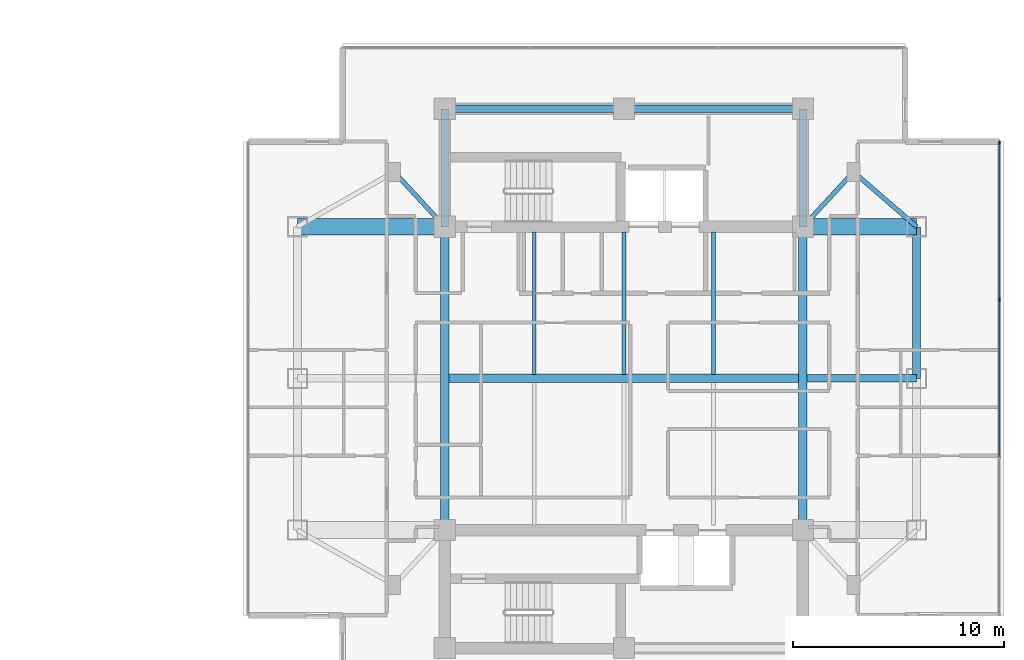
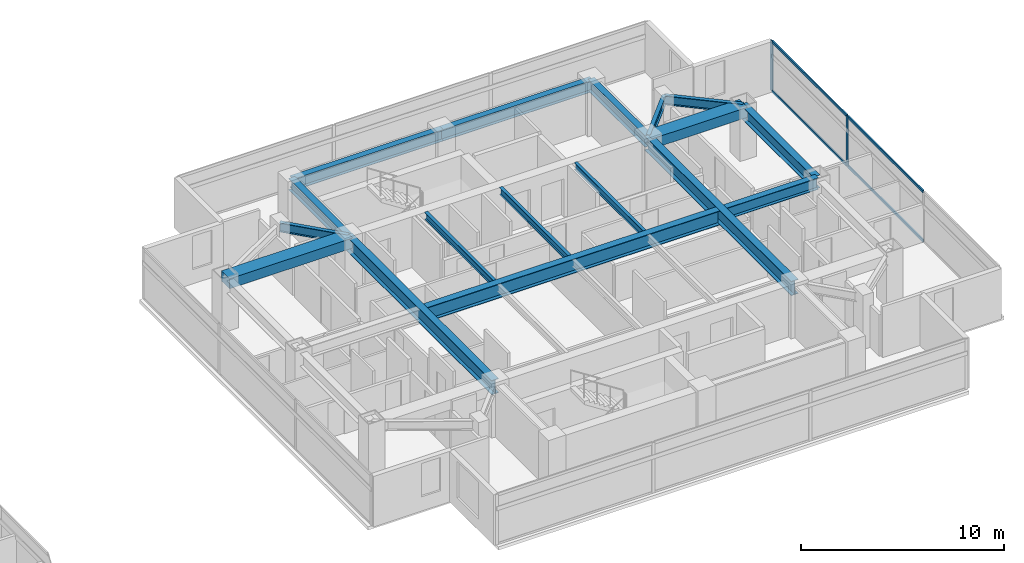
# One storey, part 10 of 26: 17 beams, 6 members, 1 element without a shape of its own.
"""IFC4 building model written with IfcOpenShell, lengths in metres."""

from ifc_helpers import new_model, si_unit, direction, frame, origin, origin_2d, place, context, subcontext, project, spatial, rectangle, i_section, extrude, material, material_profile, profile_set, type_object, element, aggregate, save


model = new_model("IFC4")

# Units and contexts
model_context = context("Model", 3, precision=1e-05, world=origin(), true_north=direction((0.0, 1.0)))
body_context = subcontext(model_context, "Body", "Model", "MODEL_VIEW")
ifc_project = project(units=[si_unit("LENGTHUNIT", "METRE"), si_unit("AREAUNIT", "SQUARE_METRE"), si_unit("VOLUMEUNIT", "CUBIC_METRE"), si_unit("PLANEANGLEUNIT", "RADIAN"), si_unit("MASSUNIT", "GRAM", prefix="KILO")], contexts=[model_context])

# Site, building, storey
site_placement = place(None, origin())
site = spatial("IfcSite", under=ifc_project, at=site_placement, CompositionType="ELEMENT")
building_placement = place(site_placement, origin())
building = spatial("IfcBuilding", under=site, at=building_placement, Name="Mirazonda Arch Towers", CompositionType="ELEMENT")
storey_placement = place(building_placement, frame((0.0, 0.0, 170.64990234375)))
storey = spatial("IfcBuildingStorey", under=building, at=storey_placement, Name="L48", CompositionType="ELEMENT", Elevation=170.64990234375)

# Beams
ifc_material_1 = material(Name="Steel ASTM A992 Grade 50", Category="steel")
ifc_material_profile_1 = material_profile(ifc_material_1, i_section(OverallWidth=0.381103515625, OverallDepth=0.77294921875, WebThickness=0.0166015625, FlangeThickness=0.027099609375, at=origin_2d()), Name="W30X173")
ifc_profile_set_1 = profile_set([ifc_material_profile_1], Name="Steel ASTM A992 Grade 50")
beam_type_1 = type_object("IfcBeamType", Name="BM-EXT-W30X173", PredefinedType="USERDEFINED", material=ifc_profile_set_1)
beam_1_placement = place(storey_placement, frame((90.39990234375, 28.0, 2.66357421875), z_axis=(0.0, 1.0, 0.0), x_axis=(-1.0, 0.0, 0.0)))
element("IfcBeam", 1, at=beam_1_placement, inside=storey, type_object=beam_type_1, Name="L48 Floor Beam BM-T2-L48-NS-E-28", ObjectType="GIRDER", PredefinedType="USERDEFINED", context=body_context, shape_type="SweptSolid", body=[
    extrude(i_section(OverallWidth=0.381103515625, OverallDepth=0.77294921875, WebThickness=0.0166015625, FlangeThickness=0.027099609375, at=origin_2d()), origin(), (0.0, 0.0, 1.0), 7.199951171875),
])
ifc_material_profile_2 = material_profile(ifc_material_1, i_section(OverallWidth=0.180908203125, OverallDepth=0.4169921875, WebThickness=0.010986328125, FlangeThickness=0.018310546875, at=origin_2d()), Name="W16X57")
ifc_profile_set_2 = profile_set([ifc_material_profile_2], Name="Steel ASTM A992 Grade 50")
beam_type_2 = type_object("IfcBeamType", Name="BM-INT-W16X57", PredefinedType="JOIST", material=ifc_profile_set_2)
for number, where, z_axis, x_axis, name in (
    (2, (72.25, 28.196044921875, 2.841552734375), (0.0, 1.0, 0.0), (-1.0, 0.0, 0.0), "L48 Floor Beam BM-T2-L48-J-722-28"),
    (3, (76.5, 28.196044921875, 2.841552734375), (0.0, 1.0, 0.0), (-1.0, 0.0, 0.0), "L48 Floor Beam BM-T2-L48-J-765-28"),
    (4, (80.75, 28.196044921875, 2.841552734375), (0.0, 1.0, 0.0), (-1.0, 0.0, 0.0), "L48 Floor Beam BM-T2-L48-J-807-28"),
):
    element("IfcBeam", number, at=place(storey_placement, frame(where, z_axis=z_axis, x_axis=x_axis)), inside=storey, type_object=beam_type_2, Name=name, PredefinedType="JOIST", context=body_context, shape_type="SweptSolid", body=[
        extrude(i_section(OverallWidth=0.180908203125, OverallDepth=0.4169921875, WebThickness=0.010986328125, FlangeThickness=0.018310546875, at=origin_2d()), origin(), (0.0, 0.0, 1.0), 6.763916015625),
    ])
ifc_material_profile_3 = material_profile(ifc_material_1, i_section(OverallWidth=0.214111328125, OverallDepth=0.549072265625, WebThickness=0.0146484375, FlangeThickness=0.023681640625, at=origin_2d()), Name="W21X93")
ifc_profile_set_3 = profile_set([ifc_material_profile_3], Name="Steel ASTM A992 Grade 50")
beam_type_3 = type_object("IfcBeamType", Name="BM-INT-W21X93", PredefinedType="BEAM", material=ifc_profile_set_3)
for number, where, z_axis, x_axis, name in (
    (5, (65.60009765625, 37.800048828125, 2.775634765625), (0.678251444854, -0.734829897019, 0.0), (0.734829897019, 0.678251444854, 0.0), "L48 Floor Beam BM-T2-L48-PL-NW1"),
    (6, (87.39990234375, 37.800048828125, 2.775634765625), (-0.678251444854, -0.734829897019, 0.0), (0.734829897019, -0.678251444854, 0.0), "L48 Floor Beam BM-T2-L48-PL-NE1"),
):
    element("IfcBeam", number, at=place(storey_placement, frame(where, z_axis=z_axis, x_axis=x_axis)), inside=storey, type_object=beam_type_3, Name=name, PredefinedType="BEAM", context=body_context, shape_type="SweptSolid", body=[
        extrude(i_section(OverallWidth=0.214111328125, OverallDepth=0.549072265625, WebThickness=0.0146484375, FlangeThickness=0.023681640625, at=origin_2d()), origin(), (0.0, 0.0, 1.0), 3.538330078125),
    ])
beam_2_placement = place(storey_placement, frame((87.39990234375, 37.800048828125, 2.775634765625), z_axis=(0.755676908098, -0.654944585876, 0.0), x_axis=(0.654944585876, 0.755676908098, 0.0)))
element("IfcBeam", 7, at=beam_2_placement, inside=storey, type_object=beam_type_3, Name="L48 Floor Beam BM-T2-L48-PL-NE2", PredefinedType="BEAM", context=body_context, shape_type="SweptSolid", body=[
    extrude(i_section(OverallWidth=0.214111328125, OverallDepth=0.549072265625, WebThickness=0.0146484375, FlangeThickness=0.023681640625, at=origin_2d()), origin(), (0.0, 0.0, 1.0), 3.969970703125),
])
ifc_material_profile_4 = material_profile(ifc_material_1, i_section(OverallWidth=0.35498046875, OverallDepth=0.696044921875, WebThickness=0.015380859375, FlangeThickness=0.02490234375, at=origin_2d()), Name="W27X146")
ifc_profile_set_4 = profile_set([ifc_material_profile_4], Name="Steel ASTM A992 Grade 50")
beam_type_4 = type_object("IfcBeamType", Name="BM-INT-W27X146", PredefinedType="BEAM", material=ifc_profile_set_4)
for number, where, z_axis, x_axis, name in (
    (8, (68.0, 40.800048828125, 2.7021484375), (1.0, 0.0, 0.0), (0.0, 1.0, 0.0), "L48 Floor Beam BM-T2-L48-CN1"),
    (9, (76.5, 40.800048828125, 2.7021484375), (1.0, 0.0, 0.0), (0.0, 1.0, 0.0), "L48 Floor Beam BM-T2-L48-CN2"),
):
    element("IfcBeam", number, at=place(storey_placement, frame(where, z_axis=z_axis, x_axis=x_axis)), inside=storey, type_object=beam_type_4, Name=name, PredefinedType="BEAM", context=body_context, shape_type="SweptSolid", body=[
        extrude(i_section(OverallWidth=0.35498046875, OverallDepth=0.696044921875, WebThickness=0.015380859375, FlangeThickness=0.02490234375, at=origin_2d()), origin(), (0.0, 0.0, 1.0), 8.5),
    ])
for number, where, z_axis, x_axis, name in (
    (10, (68.0, 35.199951171875, 2.7021484375), (0.0, 1.0, 0.0), (-1.0, 0.0, 0.0), "L48 Floor Beam BM-T2-L48-CNW"),
    (11, (85.0, 35.199951171875, 2.7021484375), (0.0, 1.0, 0.0), (-1.0, 0.0, 0.0), "L48 Floor Beam BM-T2-L48-CNE"),
):
    element("IfcBeam", number, at=place(storey_placement, frame(where, z_axis=z_axis, x_axis=x_axis)), inside=storey, type_object=beam_type_4, Name=name, PredefinedType="BEAM", context=body_context, shape_type="SweptSolid", body=[
        extrude(i_section(OverallWidth=0.35498046875, OverallDepth=0.696044921875, WebThickness=0.015380859375, FlangeThickness=0.02490234375, at=origin_2d()), origin(), (0.0, 0.0, 1.0), 5.60009765625),
    ])
beam_3_placement = place(storey_placement, frame((85.199951171875, 28.0, 2.7021484375), z_axis=(1.0, 0.0, 0.0), x_axis=(0.0, 1.0, 0.0)))
element("IfcBeam", 12, at=beam_3_placement, inside=storey, type_object=beam_type_4, Name="L48 Floor Beam BM-T2-L48-GE2", PredefinedType="BEAM", context=body_context, shape_type="SweptSolid", body=[
    extrude(i_section(OverallWidth=0.35498046875, OverallDepth=0.696044921875, WebThickness=0.015380859375, FlangeThickness=0.02490234375, at=origin_2d()), origin(), (0.0, 0.0, 1.0), 5.199951171875),
])
ifc_material_profile_5 = material_profile(ifc_material_1, i_section(OverallWidth=0.39990234375, OverallDepth=0.85595703125, WebThickness=0.018310546875, FlangeThickness=0.029296875, at=origin_2d()), Name="W33X201")
ifc_profile_set_5 = profile_set([ifc_material_profile_5], Name="Steel ASTM A992 Grade 50")
beam_type_5 = type_object("IfcBeamType", Name="BM-INT-W33X201", PredefinedType="USERDEFINED", material=ifc_profile_set_5)
beam_4_placement = place(storey_placement, frame((68.199951171875, 28.0, 2.6220703125), z_axis=(1.0, 0.0, 0.0), x_axis=(0.0, 1.0, 0.0)))
element("IfcBeam", 13, at=beam_4_placement, inside=storey, type_object=beam_type_5, Name="L48 Floor Beam BM-T2-L48-GC2", ObjectType="GIRDER", PredefinedType="USERDEFINED", context=body_context, shape_type="SweptSolid", body=[
    extrude(i_section(OverallWidth=0.39990234375, OverallDepth=0.85595703125, WebThickness=0.018310546875, FlangeThickness=0.029296875, at=origin_2d()), origin(), (0.0, 0.0, 1.0), 16.60009765625),
])
for number, where, z_axis, x_axis, name in (
    (14, (68.0, 20.800048828125, 2.6220703125), (0.0, 1.0, 0.0), (-1.0, 0.0, 0.0), "L48 Floor Beam BM-T2-L48-NS-CW-FULL"),
    (15, (85.0, 20.800048828125, 2.6220703125), (0.0, 1.0, 0.0), (-1.0, 0.0, 0.0), "L48 Floor Beam BM-T2-L48-NS-CE-FULL"),
):
    element("IfcBeam", number, at=place(storey_placement, frame(where, z_axis=z_axis, x_axis=x_axis)), inside=storey, type_object=beam_type_5, Name=name, ObjectType="GIRDER", PredefinedType="USERDEFINED", context=body_context, shape_type="SweptSolid", body=[
        extrude(i_section(OverallWidth=0.39990234375, OverallDepth=0.85595703125, WebThickness=0.018310546875, FlangeThickness=0.029296875, at=origin_2d()), origin(), (0.0, 0.0, 1.0), 14.39990234375),
    ])
ifc_material_2 = material(Name="Concrete C60/75", Category="concrete")
ifc_material_profile_6 = material_profile(ifc_material_2, rectangle(XDim=0.800048828125, YDim=0.60009765625, at=origin_2d()), Name="RCCB800x600")
ifc_profile_set_6 = profile_set([ifc_material_profile_6], Name="Concrete C60/75")
beam_type_6 = type_object("IfcBeamType", Name="CB-INT-RCCB800x600", PredefinedType="SPANDREL", material=ifc_profile_set_6)
beam_5_placement = place(storey_placement, frame((61.0, 35.199951171875, 2.75), z_axis=(1.0, 0.0, 0.0), x_axis=(0.0, 1.0, 0.0)))
element("IfcBeam", 16, at=beam_5_placement, inside=storey, type_object=beam_type_6, Name="L48 Floor Beam CBC-T2-L48-NW", PredefinedType="SPANDREL", context=body_context, shape_type="SweptSolid", body=[
    extrude(rectangle(XDim=0.800048828125, YDim=0.60009765625, at=origin_2d()), origin(), (0.0, 0.0, 1.0), 7.0),
])
beam_6_placement = place(storey_placement, frame((85.0, 35.199951171875, 2.75), z_axis=(1.0, 0.0, 0.0), x_axis=(0.0, 1.0, 0.0)))
element("IfcBeam", 17, at=beam_6_placement, inside=storey, type_object=beam_type_6, Name="L48 Floor Beam CBC-T2-L48-NE", PredefinedType="SPANDREL", context=body_context, shape_type="SweptSolid", body=[
    extrude(rectangle(XDim=0.800048828125, YDim=0.60009765625, at=origin_2d()), origin(), (0.0, 0.0, 1.0), 5.39990234375),
])

# Curtain wall, members
ifc_material_3 = material(Name="Anodised Aluminium and Low-E Glass", Category="aluminium")
curtain_wall_type = type_object("IfcCurtainWallType", Name="CW-RES-UNIT", PredefinedType="NOTDEFINED", material=ifc_material_3)
curtain_wall_placement = place(storey_placement, origin())
curtain_wall = element("IfcCurtainWall", 18, at=curtain_wall_placement, inside=storey, type_object=curtain_wall_type, Name="L48 T2 E Facade CW-L48-T2-E", PredefinedType="NOTDEFINED")
ifc_material_4 = material(Name="Anodised Aluminium Alloy", Category="aluminium")
ifc_material_profile_7 = material_profile(ifc_material_4, rectangle(XDim=0.074951171875, YDim=0.175048828125, at=origin_2d()), Name="ALU-MULL-75x175")
ifc_profile_set_7 = profile_set([ifc_material_profile_7], Name="Anodised Aluminium Alloy")
member_type_1 = type_object("IfcMemberType", Name="MULL-CW-RES-UNIT", PredefinedType="MULLION", material=ifc_profile_set_7)
member_1_placement = place(storey_placement, frame((94.322509765625, 31.74755859375, 0.0), z_axis=(0.0, 0.0, 1.0), x_axis=(-1.0, 0.0, 0.0)))
member_1 = element("IfcMember", 19, at=member_1_placement, type_object=member_type_1, Name="CW-104 mullion 3", PredefinedType="MULLION", context=body_context, shape_type="SweptSolid", body=[
    extrude(rectangle(XDim=0.074951171875, YDim=0.175048828125, at=origin_2d()), origin(), (0.0, 0.0, 1.0), 3.030029296875),
])
member_2_placement = place(storey_placement, frame((94.322509765625, 39.205322265625, 0.0), z_axis=(0.0, 0.0, 1.0), x_axis=(-1.0, 0.0, 0.0)))
member_2 = element("IfcMember", 20, at=member_2_placement, type_object=member_type_1, Name="CW-104 mullion 4", PredefinedType="MULLION", context=body_context, shape_type="SweptSolid", body=[
    extrude(rectangle(XDim=0.074951171875, YDim=0.175048828125, at=origin_2d()), origin(), (0.0, 0.0, 1.0), 3.030029296875),
])
ifc_material_profile_8 = material_profile(ifc_material_4, rectangle(XDim=0.074951171875, YDim=0.155029296875, at=origin_2d()), Name="ALU-TRAN-75x155")
ifc_profile_set_8 = profile_set([ifc_material_profile_8], Name="Anodised Aluminium Alloy")
member_type_2 = type_object("IfcMemberType", Name="TRAN-CW-RES-UNIT", PredefinedType="USERDEFINED", material=ifc_profile_set_8)
member_3_placement = place(storey_placement, frame((94.322509765625, 24.289794921875, 0.03759765625), z_axis=(0.0, 1.0, 0.0), x_axis=(-1.0, 0.0, 0.0)))
member_3 = element("IfcMember", 21, at=member_3_placement, type_object=member_type_2, Name="CW-104 transom 2.1", ObjectType="TRANSOM", PredefinedType="USERDEFINED", context=body_context, shape_type="SweptSolid", body=[
    extrude(rectangle(XDim=0.074951171875, YDim=0.155029296875, at=origin_2d()), origin(), (0.0, 0.0, 1.0), 7.42041015625),
])
member_4_placement = place(storey_placement, frame((94.322509765625, 24.289794921875, 2.99267578125), z_axis=(0.0, 1.0, 0.0), x_axis=(-1.0, 0.0, 0.0)))
member_4 = element("IfcMember", 22, at=member_4_placement, type_object=member_type_2, Name="CW-104 transom 2.2", ObjectType="TRANSOM", PredefinedType="USERDEFINED", context=body_context, shape_type="SweptSolid", body=[
    extrude(rectangle(XDim=0.074951171875, YDim=0.155029296875, at=origin_2d()), origin(), (0.0, 0.0, 1.0), 7.42041015625),
])
member_5_placement = place(storey_placement, frame((94.322509765625, 31.78515625, 0.03759765625), z_axis=(0.0, 1.0, 0.0), x_axis=(-1.0, 0.0, 0.0)))
member_5 = element("IfcMember", 23, at=member_5_placement, type_object=member_type_2, Name="CW-104 transom 3.1", ObjectType="TRANSOM", PredefinedType="USERDEFINED", context=body_context, shape_type="SweptSolid", body=[
    extrude(rectangle(XDim=0.074951171875, YDim=0.155029296875, at=origin_2d()), origin(), (0.0, 0.0, 1.0), 7.382568359375),
])
member_6_placement = place(storey_placement, frame((94.322509765625, 31.78515625, 2.99267578125), z_axis=(0.0, 1.0, 0.0), x_axis=(-1.0, 0.0, 0.0)))
member_6 = element("IfcMember", 24, at=member_6_placement, type_object=member_type_2, Name="CW-104 transom 3.2", ObjectType="TRANSOM", PredefinedType="USERDEFINED", context=body_context, shape_type="SweptSolid", body=[
    extrude(rectangle(XDim=0.074951171875, YDim=0.155029296875, at=origin_2d()), origin(), (0.0, 0.0, 1.0), 7.382568359375),
])
aggregate(curtain_wall, [member_1, member_2, member_3, member_4, member_5, member_6])

save(model, "model.ifc")
